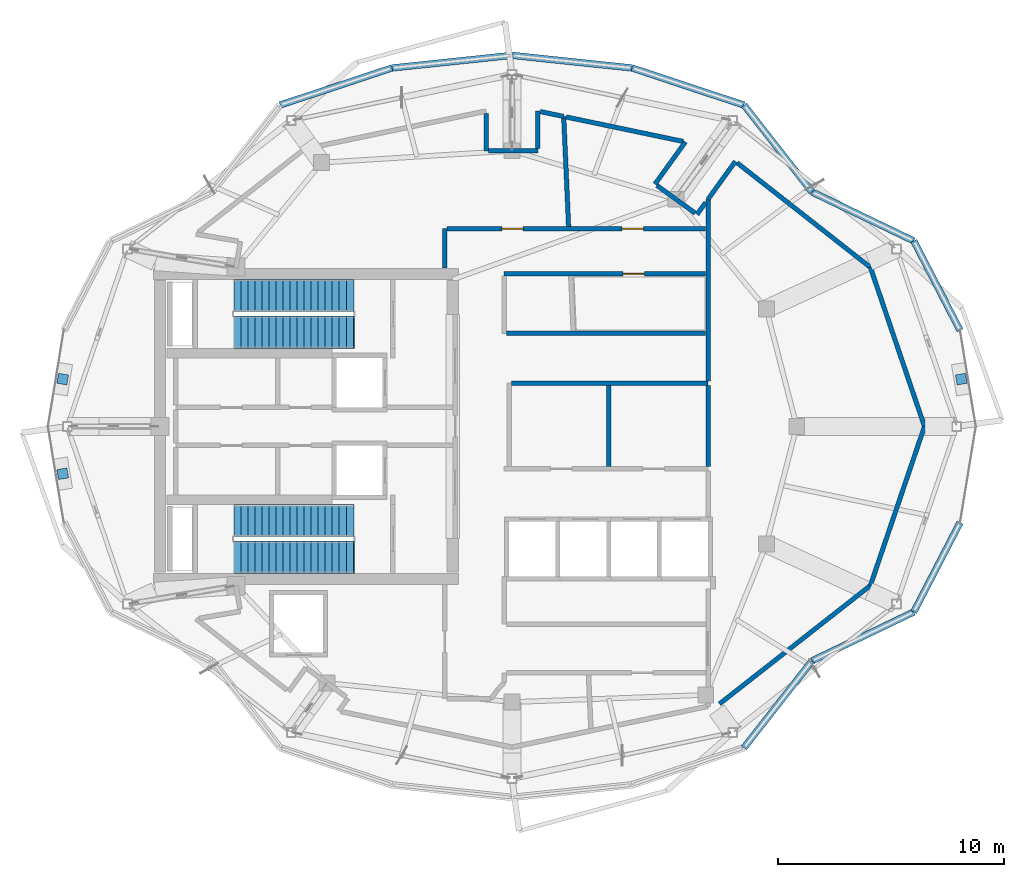
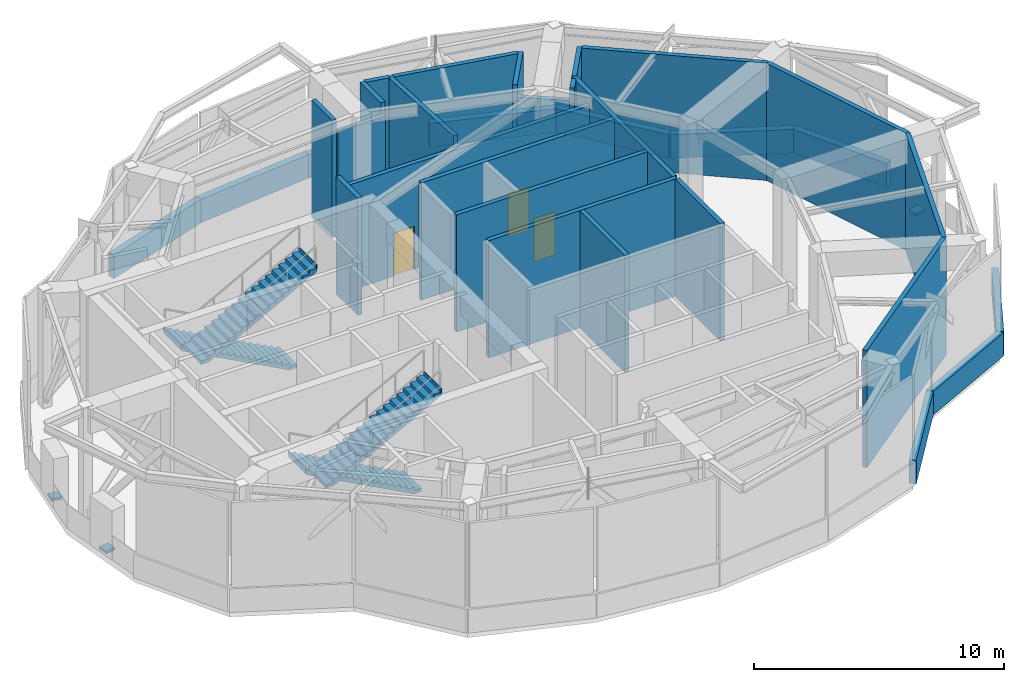
# One storey, part 8 of 9: 32 walls, 4 stair flights, 3 discrete accessories, 3 doors, 3 openings, 2 elements without a shape of their own.
"""IFC4 building model written with IfcOpenShell, lengths in metres."""

from ifc_helpers import new_model, si_unit, direction, frame, frame_2d, origin, origin_2d, place, context, subcontext, project, spatial, polyline, rectangle, outline, extrude, material, layer, layer_set, type_object, element, fill, aggregate, save


model = new_model("IFC4")

# Units and contexts
model_context = context("Model", 3, precision=1e-05, world=origin(), true_north=direction((0.0, 1.0)))
body_context = subcontext(model_context, "Body", "Model", "MODEL_VIEW")
ifc_project = project(units=[si_unit("LENGTHUNIT", "METRE"), si_unit("AREAUNIT", "SQUARE_METRE"), si_unit("VOLUMEUNIT", "CUBIC_METRE"), si_unit("PLANEANGLEUNIT", "RADIAN"), si_unit("MASSUNIT", "GRAM", prefix="KILO")], contexts=[model_context])

# Site, building, storey
site_placement = place(None, origin())
site = spatial("IfcSite", under=ifc_project, at=site_placement, CompositionType="ELEMENT")
building_placement = place(site_placement, origin())
building = spatial("IfcBuilding", under=site, at=building_placement, Name="Kolvaren Gate Tower and Convention Centre", CompositionType="ELEMENT")
storey_placement = place(building_placement, frame((0.0, 0.0, 275.60009765625)))
storey = spatial("IfcBuildingStorey", under=building, at=storey_placement, Name="L75", CompositionType="ELEMENT", Elevation=275.60009765625)

# Walls
ifc_material_1 = material(Name="Autoclaved Aerated Masonry Blockwork Class 4 (4.0 MPa)", Category="masonry")
ifc_layer_1 = layer(ifc_material_1, 0.199951171875)
ifc_layer_set_1 = layer_set([ifc_layer_1], Name="Autoclaved Aerated Masonry Blockwork Class 4 (4.0 MPa)")
wall_type_1 = type_object("IfcWallType", Name="ARCH-WL-SHAFT-200", PredefinedType="SOLIDWALL", material=ifc_layer_set_1)
wall_1_placement = place(storey_placement, frame((30.10205078125, 28.919921875, 0.0), z_axis=(0.0, 0.0, 1.0), x_axis=(1.0, 0.0, 0.0)))
element("IfcWall", 1, at=wall_1_placement, inside=storey, type_object=wall_type_1, Name="Interior Partition WL-L75-INT-011", PredefinedType="SOLIDWALL", context=body_context, shape_type="SweptSolid", body=[
    extrude(rectangle(XDim=8.697998046875, YDim=0.199951171875, at=frame_2d((4.34912109375, 0.0))), origin(), (0.0, 0.0, 1.0), 5.719970703125),
])
for number, where, z_axis, x_axis, name in (
    (2, (34.39990234375, 25.221923828125, 0.0), (0.0, 0.0, 1.0), (0.0, 1.0, 0.0), "Interior Partition WL-L75-INT-012"),
    (3, (38.800048828125, 25.221923828125, 0.0), (0.0, 0.0, 1.0), (0.0, 1.0, 0.0), "Interior Partition WL-L75-INT-014 (2)"),
):
    element("IfcWall", number, at=place(storey_placement, frame(where, z_axis=z_axis, x_axis=x_axis)), inside=storey, type_object=wall_type_1, Name=name, PredefinedType="SOLIDWALL", context=body_context, shape_type="SweptSolid", body=[
        extrude(rectangle(XDim=3.59619140625, YDim=0.199951171875, at=frame_2d((1.798095703125, 0.0))), origin(), (0.0, 0.0, 1.0), 5.719970703125),
    ])
wall_2_placement = place(storey_placement, frame((38.800048828125, 29.02197265625, 0.0), z_axis=(0.0, 0.0, 1.0), x_axis=(0.0, 1.0, 0.0)))
element("IfcWall", 4, at=wall_2_placement, inside=storey, type_object=wall_type_1, Name="Interior Partition WL-L75-INT-014 (3)", PredefinedType="SOLIDWALL", context=body_context, shape_type="SweptSolid", body=[
    extrude(rectangle(XDim=8.032958984375, YDim=0.199951171875, at=frame_2d((4.0166015625, 0.0))), origin(), (0.0, 0.0, 1.0), 5.719970703125),
])
wall_3_placement = place(storey_placement, frame((27.14990234375, 34.001953125, 0.0), z_axis=(0.0, 0.0, 1.0), x_axis=(0.0, 1.0, 0.0)))
element("IfcWall", 5, at=wall_3_placement, inside=storey, type_object=wall_type_1, Name="Interior Partition WL-L75-INT-016", PredefinedType="SOLIDWALL", context=body_context, shape_type="SweptSolid", body=[
    extrude(rectangle(XDim=1.748046875, YDim=0.199951171875, at=frame_2d((0.8740234375, 0.0))), origin(), (0.0, 0.0, 1.0), 5.719970703125),
])

# Wall, openings, doors
wall_4_placement = place(storey_placement, frame((27.251953125, 35.75, 0.0), z_axis=(0.0, 0.0, 1.0), x_axis=(1.0, 0.0, 0.0)))
wall_4 = element("IfcWall", 6, at=wall_4_placement, inside=storey, type_object=wall_type_1, Name="Interior Partition WL-L75-INT-017", PredefinedType="SOLIDWALL", context=body_context, shape_type="SweptSolid", body=[
    extrude(rectangle(XDim=11.446044921875, YDim=0.199951171875, at=frame_2d((5.72314453125, 0.0))), origin(), (0.0, 0.0, 1.0), 5.16796875),
])
opening_1_placement = place(wall_4_placement, frame((2.420654296875, 0.0, 0.0)))
opening_1 = element("IfcOpeningElement", 7, at=opening_1_placement, cuts=wall_4, Name="Opening DR-01", PredefinedType="OPENING", context=body_context, shape_type="SweptSolid", body=[
    extrude(rectangle(XDim=0.949951171875, YDim=2.10009765625, at=frame_2d((0.47509765625, 1.050048828125))), frame((0.0, 0.10986328125, 0.0), z_axis=(0.0, -1.0, 0.0), x_axis=(1.0, 0.0, 0.0)), (0.0, 0.0, 1.0), 0.219970703125),
])
opening_2_placement = place(wall_4_placement, frame((7.7333984375, 0.0, 0.0)))
opening_2 = element("IfcOpeningElement", 8, at=opening_2_placement, cuts=wall_4, Name="Opening DR-01", PredefinedType="OPENING", context=body_context, shape_type="SweptSolid", body=[
    extrude(rectangle(XDim=0.949951171875, YDim=2.10009765625, at=frame_2d((0.47509765625, 1.050048828125))), frame((0.0, 0.10986328125, 0.0), z_axis=(0.0, -1.0, 0.0), x_axis=(1.0, 0.0, 0.0)), (0.0, 0.0, 1.0), 0.219970703125),
])
ifc_material_2 = material(Name="Painted Architectural Steelwork ASTM A500 Grade C 345 MPa", Category="steel")
door_type = type_object("IfcDoorType", Name="ARCH-DR-RISER-950", OperationType="SINGLE_SWING_RIGHT", PredefinedType="DOOR", material=ifc_material_2)
door_1_placement = place(opening_1_placement, origin())
door_1 = element("IfcDoor", 9, at=door_1_placement, inside=storey, type_object=door_type, Name="Smoke-Control Fan and Damper Plant Room Door", OperationType="SINGLE_SWING_LEFT", OverallHeight=2.10009765625, OverallWidth=0.949951171875, PredefinedType="DOOR", context=body_context, shape_type="SweptSolid", body=[
    extrude(rectangle(XDim=0.949951171875, YDim=2.10009765625, at=frame_2d((0.47509765625, 1.050048828125))), frame((0.0, 0.02490234375, 0.0), z_axis=(0.0, -1.0, 0.0), x_axis=(1.0, 0.0, 0.0)), (0.0, 0.0, 1.0), 0.050048828125),
])
fill(opening_1, door_1)
door_2_placement = place(opening_2_placement, origin())
door_2 = element("IfcDoor", 10, at=door_2_placement, inside=storey, type_object=door_type, Name="Wind-Turbine Power-Conditioning Plant Room Door", OperationType="SINGLE_SWING_RIGHT", OverallHeight=2.10009765625, OverallWidth=0.949951171875, PredefinedType="DOOR", context=body_context, shape_type="SweptSolid", body=[
    extrude(rectangle(XDim=0.949951171875, YDim=2.10009765625, at=frame_2d((0.47509765625, 1.050048828125))), frame((0.0, 0.02490234375, 0.0), z_axis=(0.0, -1.0, 0.0), x_axis=(1.0, 0.0, 0.0)), (0.0, 0.0, 1.0), 0.050048828125),
])
fill(opening_2, door_2)

# Wall, opening, door
wall_5_placement = place(storey_placement, frame((29.780029296875, 33.75, 0.0), z_axis=(0.0, 0.0, 1.0), x_axis=(1.0, 0.0, 0.0)))
wall_5 = element("IfcWall", 11, at=wall_5_placement, inside=storey, type_object=wall_type_1, Name="Interior Partition WL-L75-INT-018", PredefinedType="SOLIDWALL", context=body_context, shape_type="SweptSolid", body=[
    extrude(rectangle(XDim=8.91796875, YDim=0.199951171875, at=frame_2d((4.458984375, 0.0))), origin(), (0.0, 0.0, 1.0), 5.719970703125),
])
opening_3_placement = place(wall_5_placement, frame((5.25, 0.0, 0.0)))
opening_3 = element("IfcOpeningElement", 12, at=opening_3_placement, cuts=wall_5, Name="Opening DR-01", PredefinedType="OPENING", context=body_context, shape_type="SweptSolid", body=[
    extrude(rectangle(XDim=0.949951171875, YDim=2.10009765625, at=frame_2d((0.47509765625, 1.050048828125))), frame((0.0, 0.10986328125, 0.0), z_axis=(0.0, -1.0, 0.0), x_axis=(1.0, 0.0, 0.0)), (0.0, 0.0, 1.0), 0.219970703125),
])
door_3_placement = place(opening_3_placement, origin())
door_3 = element("IfcDoor", 13, at=door_3_placement, inside=storey, type_object=door_type, Name="Zone Electrical Substation and Switchgear Room Door", OperationType="SINGLE_SWING_RIGHT", OverallHeight=2.10009765625, OverallWidth=0.949951171875, PredefinedType="DOOR", context=body_context, shape_type="SweptSolid", body=[
    extrude(rectangle(XDim=0.949951171875, YDim=2.10009765625, at=frame_2d((0.47509765625, 1.050048828125))), frame((0.0, 0.02490234375, 0.0), z_axis=(0.0, -1.0, 0.0), x_axis=(1.0, 0.0, 0.0)), (0.0, 0.0, 1.0), 0.050048828125),
])
fill(opening_3, door_3)

# Walls
wall_6_placement = place(storey_placement, frame((29.882080078125, 31.1201171875, 0.0), z_axis=(0.0, 0.0, 1.0), x_axis=(1.0, 0.0, 0.0)))
element("IfcWall", 14, at=wall_6_placement, inside=storey, type_object=wall_type_1, Name="Interior Partition WL-L75-INT-022", PredefinedType="SOLIDWALL", context=body_context, shape_type="SweptSolid", body=[
    extrude(rectangle(XDim=8.81591796875, YDim=0.199951171875, at=frame_2d((4.407958984375, 0.0))), origin(), (0.0, 0.0, 1.0), 5.719970703125),
])
wall_7_placement = place(storey_placement, frame((38.314208984375, 36.3818359375, 0.0), z_axis=(0.0, 0.0, 1.0), x_axis=(0.585069222784, 0.810983356519, 0.0)))
element("IfcWall", 15, at=wall_7_placement, inside=storey, type_object=wall_type_1, Name="Interior Partition WL-L75-INT-030", PredefinedType="SOLIDWALL", context=body_context, shape_type="SweptSolid", body=[
    extrude(rectangle(XDim=0.656005859375, YDim=0.199951171875, at=frame_2d((0.328125, 0.0))), origin(), (0.0, 0.0, 1.0), 5.719970703125),
])
wall_8_placement = place(storey_placement, frame((38.800048828125, 37.054931640625, 0.0), z_axis=(0.0, 0.0, 1.0), x_axis=(0.585158028997, 0.810919281495, 0.0)))
element("IfcWall", 16, at=wall_8_placement, inside=storey, type_object=wall_type_1, Name="Interior Partition WL-L75-INT-030 (2)", PredefinedType="SOLIDWALL", context=body_context, shape_type="SweptSolid", body=[
    extrude(rectangle(XDim=2.064453125, YDim=0.199951171875, at=frame_2d((1.0322265625, 0.0))), origin(), (0.0, 0.0, 1.0), 5.719970703125),
])
wall_9_placement = place(storey_placement, frame((40.08837890625, 38.666015625, 0.0), z_axis=(0.0, 0.0, 1.0), x_axis=(0.78684597277, -0.61714942691, 0.0)))
element("IfcWall", 17, at=wall_9_placement, inside=storey, type_object=wall_type_1, Name="Interior Partition WL-L75-INT-031", PredefinedType="SOLIDWALL", context=body_context, shape_type="SweptSolid", body=[
    extrude(rectangle(XDim=7.494140625, YDim=0.199951171875, at=frame_2d((3.7470703125, 0.0))), origin(), (0.0, 0.0, 1.0), 5.719970703125),
])
for number, where, z_axis, x_axis, name in (
    (18, (45.985107421875, 34.041015625, 0.0), (0.0, 0.0, 1.0), (0.322002778724, -0.946738723458, 0.0), "Interior Partition WL-L75-INT-032"),
    (19, (45.985107421875, 19.958984375, 0.0), (0.0, 0.0, 1.0), (0.322002778724, 0.946738723458, 0.0), "Interior Partition WL-L75-INT-033"),
):
    element("IfcWall", number, at=place(storey_placement, frame(where, z_axis=z_axis, x_axis=x_axis)), inside=storey, type_object=wall_type_1, Name=name, PredefinedType="SOLIDWALL", context=body_context, shape_type="SweptSolid", body=[
        extrude(rectangle(XDim=7.43701171875, YDim=0.199951171875, at=frame_2d((3.718505859375, 0.0))), origin(), (0.0, 0.0, 1.0), 5.719970703125),
    ])
wall_10_placement = place(storey_placement, frame((39.30810546875, 14.721923828125, 0.0), z_axis=(0.0, 0.0, 1.0), x_axis=(0.786842185736, 0.617154255228, 0.0)))
element("IfcWall", 20, at=wall_10_placement, inside=storey, type_object=wall_type_1, Name="Interior Partition WL-L75-INT-034", PredefinedType="SOLIDWALL", context=body_context, shape_type="SweptSolid", body=[
    extrude(rectangle(XDim=8.48583984375, YDim=0.199951171875, at=frame_2d((4.242919921875, 0.0))), origin(), (0.0, 0.0, 1.0), 5.719970703125),
])
wall_11_placement = place(storey_placement, frame((36.4521484375, 37.7255859375, 0.0), z_axis=(0.0, 0.0, 1.0), x_axis=(0.585304643713, 0.810813464397, 0.0)))
element("IfcWall", 21, at=wall_11_placement, inside=storey, type_object=wall_type_1, Name="Interior Partition WL-L75-INT-038", PredefinedType="SOLIDWALL", context=body_context, shape_type="SweptSolid", body=[
    extrude(rectangle(XDim=2.3017578125, YDim=0.199951171875, at=frame_2d((1.15087890625, 0.0))), origin(), (0.0, 0.0, 1.0), 5.719970703125),
])
wall_12_placement = place(storey_placement, frame((32.413330078125, 40.718017578125, 0.0), z_axis=(0.0, 0.0, 1.0), x_axis=(0.044359482004, -0.99901563369, 0.0)))
element("IfcWall", 22, at=wall_12_placement, inside=storey, type_object=wall_type_1, Name="Interior Partition WL-L75-INT-042", PredefinedType="SOLIDWALL", context=body_context, shape_type="SweptSolid", body=[
    extrude(rectangle(XDim=4.870849609375, YDim=0.199951171875, at=frame_2d((2.435546875, 0.0))), origin(), (0.0, 0.0, 1.0), 5.719970703125),
])
wall_13_placement = place(storey_placement, frame((28.97509765625, 39.199951171875, 0.0), z_axis=(0.0, 0.0, 1.0), x_axis=(0.0, 1.0, 0.0)))
element("IfcWall", 23, at=wall_13_placement, inside=storey, type_object=wall_type_1, Name="Interior Partition WL-L75-INT-050", PredefinedType="SOLIDWALL", context=body_context, shape_type="SweptSolid", body=[
    extrude(rectangle(XDim=1.65185546875, YDim=0.199951171875, at=frame_2d((0.825927734375, 0.0))), origin(), (0.0, 0.0, 1.0), 5.719970703125),
])
wall_14_placement = place(storey_placement, frame((29.076904296875, 39.199951171875, 0.0), z_axis=(0.0, 0.0, 1.0), x_axis=(1.0, 0.0, 0.0)))
element("IfcWall", 24, at=wall_14_placement, inside=storey, type_object=wall_type_1, Name="Interior Partition WL-L75-INT-051", PredefinedType="SOLIDWALL", context=body_context, shape_type="SweptSolid", body=[
    extrude(rectangle(XDim=2.197998046875, YDim=0.199951171875, at=frame_2d((1.09912109375, 0.0))), origin(), (0.0, 0.0, 1.0), 5.16796875),
])
wall_15_placement = place(storey_placement, frame((31.27490234375, 39.302001953125, 0.0), z_axis=(0.0, 0.0, 1.0), x_axis=(0.0, 1.0, 0.0)))
element("IfcWall", 25, at=wall_15_placement, inside=storey, type_object=wall_type_1, Name="Interior Partition WL-L75-INT-052", PredefinedType="SOLIDWALL", context=body_context, shape_type="SweptSolid", body=[
    extrude(rectangle(XDim=1.654052734375, YDim=0.199951171875, at=frame_2d((0.8271484375, 0.0))), origin(), (0.0, 0.0, 1.0), 5.719970703125),
])
wall_16_placement = place(storey_placement, frame((31.376953125, 40.934814453125, 0.0), z_axis=(0.0, 0.0, 1.0), x_axis=(0.97880352916, -0.204801492435, 0.0)))
element("IfcWall", 26, at=wall_16_placement, inside=storey, type_object=wall_type_1, Name="Interior Partition WL-L75-INT-053", PredefinedType="SOLIDWALL", context=body_context, shape_type="SweptSolid", body=[
    extrude(rectangle(XDim=1.05859375, YDim=0.199951171875, at=frame_2d((0.529296875, 0.0))), origin(), (0.0, 0.0, 1.0), 5.719970703125),
])
wall_17_placement = place(storey_placement, frame((32.516357421875, 40.6962890625, 0.0), z_axis=(0.0, 0.0, 1.0), x_axis=(0.978828735441, -0.204680987576, 0.0)))
element("IfcWall", 27, at=wall_17_placement, inside=storey, type_object=wall_type_1, Name="Interior Partition WL-L75-INT-053 (2)", PredefinedType="SOLIDWALL", context=body_context, shape_type="SweptSolid", body=[
    extrude(rectangle(XDim=5.28515625, YDim=0.199951171875, at=frame_2d((2.642578125, 0.0))), origin(), (0.0, 0.0, 1.0), 5.719970703125),
])
wall_18_placement = place(storey_placement, frame((36.534912109375, 37.666015625, 0.0), z_axis=(0.0, 0.0, 1.0), x_axis=(0.810829966336, -0.585281783154, 0.0)))
element("IfcWall", 28, at=wall_18_placement, inside=storey, type_object=wall_type_1, Name="Interior Partition WL-L75-INT-054", PredefinedType="SOLIDWALL", context=body_context, shape_type="SweptSolid", body=[
    extrude(rectangle(XDim=2.09228515625, YDim=0.199951171875, at=frame_2d((1.046142578125, 0.0))), origin(), (0.0, 0.0, 1.0), 5.16796875),
])
ifc_material_3 = material(Name="Piedmont Cream Honed Limestone Cladding", Category="masonry")
ifc_layer_2 = layer(ifc_material_3, 0.300048828125)
ifc_layer_set_2 = layer_set([ifc_layer_2], Name="Piedmont Cream Honed Limestone Cladding")
wall_type_2 = type_object("IfcWallType", Name="ARCH-WL-STONE-300", PredefinedType="SOLIDWALL", material=ifc_layer_set_2)
wall_19_placement = place(storey_placement, frame((47.905517578125, 35.21240234375, 0.0), z_axis=(0.0, 0.0, 1.0), x_axis=(0.459801070243, -0.888021945564, 0.0)))
element("IfcWall", 29, at=wall_19_placement, inside=storey, type_object=wall_type_2, Name="Plant Floor L75 Stone Sill Wall EW-01", PredefinedType="SOLIDWALL", context=body_context, shape_type="SweptSolid", body=[
    extrude(rectangle(XDim=4.460693359375, YDim=0.300048828125, at=frame_2d((2.23046875, 0.0))), origin(), (0.0, 0.0, 1.0), 1.14990234375),
])
wall_20_placement = place(storey_placement, frame((43.40380859375, 37.37548828125, 0.0), z_axis=(0.0, 0.0, 1.0), x_axis=(0.901346013132, -0.433099716706, 0.0)))
element("IfcWall", 30, at=wall_20_placement, inside=storey, type_object=wall_type_2, Name="Plant Floor L75 Stone Sill Wall EW-02", PredefinedType="SOLIDWALL", context=body_context, shape_type="SweptSolid", body=[
    extrude(rectangle(XDim=4.994384765625, YDim=0.300048828125, at=frame_2d((2.4970703125, 0.0))), origin(), (0.0, 0.0, 1.0), 1.14990234375),
])
wall_21_placement = place(storey_placement, frame((40.390625, 41.224609375, 0.0), z_axis=(0.0, 0.0, 1.0), x_axis=(0.616413297421, -0.78742278781, 0.0)))
element("IfcWall", 31, at=wall_21_placement, inside=storey, type_object=wall_type_2, Name="Plant Floor L75 Stone Sill Wall EW-03", PredefinedType="SOLIDWALL", context=body_context, shape_type="SweptSolid", body=[
    extrude(rectangle(XDim=4.88818359375, YDim=0.300048828125, at=frame_2d((2.444091796875, 0.0))), origin(), (0.0, 0.0, 1.0), 1.14990234375),
])
wall_22_placement = place(storey_placement, frame((35.43896484375, 42.865234375, 0.0), z_axis=(0.0, 0.0, 1.0), x_axis=(0.949252744709, -0.314514271001, 0.0)))
element("IfcWall", 32, at=wall_22_placement, inside=storey, type_object=wall_type_2, Name="Plant Floor L75 Stone Sill Wall EW-04", PredefinedType="SOLIDWALL", context=body_context, shape_type="SweptSolid", body=[
    extrude(rectangle(XDim=5.21630859375, YDim=0.300048828125, at=frame_2d((2.608154296875, 0.0))), origin(), (0.0, 0.0, 1.0), 1.14990234375),
])
for number, where, z_axis, x_axis, name in (
    (33, (30.125, 43.425048828125, 0.0), (0.0, 0.0, 1.0), (0.9944966869, -0.104768028258, 0.0), "Plant Floor L75 Stone Sill Wall EW-05"),
    (34, (24.81103515625, 42.865234375, 0.0), (0.0, 0.0, 1.0), (0.9944966869, 0.104768028258, 0.0), "Plant Floor L75 Stone Sill Wall EW-06"),
):
    element("IfcWall", number, at=place(storey_placement, frame(where, z_axis=z_axis, x_axis=x_axis)), inside=storey, type_object=wall_type_2, Name=name, PredefinedType="SOLIDWALL", context=body_context, shape_type="SweptSolid", body=[
        extrude(rectangle(XDim=5.34326171875, YDim=0.300048828125, at=frame_2d((2.671630859375, 0.0))), origin(), (0.0, 0.0, 1.0), 1.14990234375),
    ])
wall_23_placement = place(storey_placement, frame((19.859375, 41.224609375, 0.0), z_axis=(0.0, 0.0, 1.0), x_axis=(0.949252744709, 0.314514271001, 0.0)))
element("IfcWall", 35, at=wall_23_placement, inside=storey, type_object=wall_type_2, Name="Plant Floor L75 Stone Sill Wall EW-07", PredefinedType="SOLIDWALL", context=body_context, shape_type="SweptSolid", body=[
    extrude(rectangle(XDim=5.21630859375, YDim=0.300048828125, at=frame_2d((2.608154296875, 0.0))), origin(), (0.0, 0.0, 1.0), 1.14990234375),
])
wall_24_placement = place(storey_placement, frame((40.390625, 12.775390625, 0.0), z_axis=(0.0, 0.0, 1.0), x_axis=(0.616413297421, 0.78742278781, 0.0)))
element("IfcWall", 36, at=wall_24_placement, inside=storey, type_object=wall_type_2, Name="Plant Floor L75 Stone Sill Wall EW-20", PredefinedType="SOLIDWALL", context=body_context, shape_type="SweptSolid", body=[
    extrude(rectangle(XDim=4.88818359375, YDim=0.300048828125, at=frame_2d((2.444091796875, 0.0))), origin(), (0.0, 0.0, 1.0), 1.14990234375),
])
wall_25_placement = place(storey_placement, frame((43.40380859375, 16.62451171875, 0.0), z_axis=(0.0, 0.0, 1.0), x_axis=(0.901346013132, 0.433099716706, 0.0)))
element("IfcWall", 37, at=wall_25_placement, inside=storey, type_object=wall_type_2, Name="Plant Floor L75 Stone Sill Wall EW-21", PredefinedType="SOLIDWALL", context=body_context, shape_type="SweptSolid", body=[
    extrude(rectangle(XDim=4.994384765625, YDim=0.300048828125, at=frame_2d((2.4970703125, 0.0))), origin(), (0.0, 0.0, 1.0), 1.14990234375),
])
wall_26_placement = place(storey_placement, frame((47.905517578125, 18.78759765625, 0.0), z_axis=(0.0, 0.0, 1.0), x_axis=(0.459801070243, 0.888021945564, 0.0)))
element("IfcWall", 38, at=wall_26_placement, inside=storey, type_object=wall_type_2, Name="Plant Floor L75 Stone Sill Wall EW-22", PredefinedType="SOLIDWALL", context=body_context, shape_type="SweptSolid", body=[
    extrude(rectangle(XDim=4.460693359375, YDim=0.300048828125, at=frame_2d((2.23046875, 0.0))), origin(), (0.0, 0.0, 1.0), 1.14990234375),
])

# Stair, stair flights
ifc_material_4 = material(Name="Concrete C50/60", Category="concrete")
stair_type = type_object("IfcStairType", Name="STR-STAIR-CORE", PredefinedType="HALF_TURN_STAIR", material=ifc_material_4)
stair_1_placement = place(storey_placement, origin())
stair_1 = element("IfcStair", 39, at=stair_1_placement, inside=storey, type_object=stair_type, Name="L75 Tower North Exit Stair ST-T1", PredefinedType="HALF_TURN_STAIR")
stair_flight_type = type_object("IfcStairFlightType", Name="STR-SFL-1420", PredefinedType="STRAIGHT", material=ifc_material_4)
stair_flight_1_placement = place(storey_placement, frame((23.10009765625, 32.7900390625, 0.0), z_axis=(0.0, 0.0, 1.0), x_axis=(-1.0, 0.0, 0.0)))
stair_flight_1 = element("IfcStairFlight", 40, at=stair_flight_1_placement, type_object=stair_flight_type, Name="ST-T1 flight 1", NumberOfRisers=18, NumberOfTreads=17, PredefinedType="STRAIGHT", RiserHeight=0.166666667, TreadLength=0.31, context=body_context, shape_type="SweptSolid", body=[
    extrude(outline(polyline([(-0.034912109375, 0.0), (-0.034912109375, 0.166748046875), (0.31005859375, 0.166748046875), (0.31005859375, 0.333251953125), (0.6201171875, 0.333251953125), (0.6201171875, 0.5), (0.929931640625, 0.5), (0.929931640625, 0.666748046875), (1.239990234375, 0.666748046875), (1.239990234375, 0.833251953125), (1.550048828125, 0.833251953125), (1.550048828125, 1.0), (1.860107421875, 1.0), (1.860107421875, 1.166748046875), (2.169921875, 1.166748046875), (2.169921875, 1.333251953125), (2.47998046875, 1.333251953125), (2.47998046875, 1.5), (2.7900390625, 1.5), (2.7900390625, 1.666748046875), (3.10009765625, 1.666748046875), (3.10009765625, 1.833251953125), (3.409912109375, 1.833251953125), (3.409912109375, 2.0), (3.719970703125, 2.0), (3.719970703125, 2.166748046875), (4.030029296875, 2.166748046875), (4.030029296875, 2.333251953125), (4.340087890625, 2.333251953125), (4.340087890625, 2.5), (4.64990234375, 2.5), (4.64990234375, 2.666748046875), (4.9599609375, 2.666748046875), (4.9599609375, 2.833251953125), (5.27001953125, 2.833251953125), (5.27001953125, 3.0), (5.31494140625, 3.0), (5.31494140625, 2.840087890625), (5.27001953125, 2.6630859375), (0.316650390625, 0.0), (-0.034912109375, 0.0)])), frame((0.0, 0.7099609375, 0.0), z_axis=(0.0, -1.0, 0.0), x_axis=(1.0, 0.0, 0.0)), (0.0, 0.0, 1.0), 1.419921875),
])
stair_flight_2_placement = place(storey_placement, frame((17.830078125, 31.169921875, 3.0), z_axis=(0.0, 0.0, 1.0), x_axis=(1.0, 0.0, 0.0)))
stair_flight_2 = element("IfcStairFlight", 41, at=stair_flight_2_placement, type_object=stair_flight_type, Name="ST-T1 flight 2", NumberOfRisers=18, NumberOfTreads=17, PredefinedType="STRAIGHT", RiserHeight=0.166666667, TreadLength=0.31, context=body_context, shape_type="SweptSolid", body=[
    extrude(outline(polyline([(-0.034912109375, 0.0), (-0.034912109375, 0.166748046875), (0.31005859375, 0.166748046875), (0.31005859375, 0.333251953125), (0.6201171875, 0.333251953125), (0.6201171875, 0.5), (0.929931640625, 0.5), (0.929931640625, 0.666748046875), (1.239990234375, 0.666748046875), (1.239990234375, 0.833251953125), (1.550048828125, 0.833251953125), (1.550048828125, 1.0), (1.860107421875, 1.0), (1.860107421875, 1.166748046875), (2.169921875, 1.166748046875), (2.169921875, 1.333251953125), (2.47998046875, 1.333251953125), (2.47998046875, 1.5), (2.7900390625, 1.5), (2.7900390625, 1.666748046875), (3.10009765625, 1.666748046875), (3.10009765625, 1.833251953125), (3.409912109375, 1.833251953125), (3.409912109375, 2.0), (3.719970703125, 2.0), (3.719970703125, 2.166748046875), (4.030029296875, 2.166748046875), (4.030029296875, 2.333251953125), (4.340087890625, 2.333251953125), (4.340087890625, 2.5), (4.64990234375, 2.5), (4.64990234375, 2.666748046875), (4.9599609375, 2.666748046875), (4.9599609375, 2.833251953125), (5.27001953125, 2.833251953125), (5.27001953125, 3.0), (5.31494140625, 3.0), (5.31494140625, 2.840087890625), (5.27001953125, 2.6630859375), (0.316650390625, 0.0), (-0.034912109375, 0.0)])), frame((0.0, 0.7099609375, 0.0), z_axis=(0.0, -1.0, 0.0), x_axis=(1.0, 0.0, 0.0)), (0.0, 0.0, 1.0), 1.419921875),
])
aggregate(stair_1, [stair_flight_1, stair_flight_2])

stair_2_placement = place(storey_placement, origin())
stair_2 = element("IfcStair", 42, at=stair_2_placement, inside=storey, type_object=stair_type, Name="L75 Tower South Exit Stair ST-T2", PredefinedType="HALF_TURN_STAIR")
stair_flight_3_placement = place(storey_placement, frame((23.10009765625, 22.830078125, 0.0), z_axis=(0.0, 0.0, 1.0), x_axis=(-1.0, 0.0, 0.0)))
stair_flight_3 = element("IfcStairFlight", 43, at=stair_flight_3_placement, type_object=stair_flight_type, Name="ST-T2 flight 1", NumberOfRisers=18, NumberOfTreads=17, PredefinedType="STRAIGHT", RiserHeight=0.166666667, TreadLength=0.31, context=body_context, shape_type="SweptSolid", body=[
    extrude(outline(polyline([(-0.034912109375, 0.0), (-0.034912109375, 0.166748046875), (0.31005859375, 0.166748046875), (0.31005859375, 0.333251953125), (0.6201171875, 0.333251953125), (0.6201171875, 0.5), (0.929931640625, 0.5), (0.929931640625, 0.666748046875), (1.239990234375, 0.666748046875), (1.239990234375, 0.833251953125), (1.550048828125, 0.833251953125), (1.550048828125, 1.0), (1.860107421875, 1.0), (1.860107421875, 1.166748046875), (2.169921875, 1.166748046875), (2.169921875, 1.333251953125), (2.47998046875, 1.333251953125), (2.47998046875, 1.5), (2.7900390625, 1.5), (2.7900390625, 1.666748046875), (3.10009765625, 1.666748046875), (3.10009765625, 1.833251953125), (3.409912109375, 1.833251953125), (3.409912109375, 2.0), (3.719970703125, 2.0), (3.719970703125, 2.166748046875), (4.030029296875, 2.166748046875), (4.030029296875, 2.333251953125), (4.340087890625, 2.333251953125), (4.340087890625, 2.5), (4.64990234375, 2.5), (4.64990234375, 2.666748046875), (4.9599609375, 2.666748046875), (4.9599609375, 2.833251953125), (5.27001953125, 2.833251953125), (5.27001953125, 3.0), (5.31494140625, 3.0), (5.31494140625, 2.840087890625), (5.27001953125, 2.6630859375), (0.316650390625, 0.0), (-0.034912109375, 0.0)])), frame((0.0, 0.7099609375, 0.0), z_axis=(0.0, -1.0, 0.0), x_axis=(1.0, 0.0, 0.0)), (0.0, 0.0, 1.0), 1.419921875),
])
stair_flight_4_placement = place(storey_placement, frame((17.830078125, 21.2099609375, 3.0), z_axis=(0.0, 0.0, 1.0), x_axis=(1.0, 0.0, 0.0)))
stair_flight_4 = element("IfcStairFlight", 44, at=stair_flight_4_placement, type_object=stair_flight_type, Name="ST-T2 flight 2", NumberOfRisers=18, NumberOfTreads=17, PredefinedType="STRAIGHT", RiserHeight=0.166666667, TreadLength=0.31, context=body_context, shape_type="SweptSolid", body=[
    extrude(outline(polyline([(-0.034912109375, 0.0), (-0.034912109375, 0.166748046875), (0.31005859375, 0.166748046875), (0.31005859375, 0.333251953125), (0.6201171875, 0.333251953125), (0.6201171875, 0.5), (0.929931640625, 0.5), (0.929931640625, 0.666748046875), (1.239990234375, 0.666748046875), (1.239990234375, 0.833251953125), (1.550048828125, 0.833251953125), (1.550048828125, 1.0), (1.860107421875, 1.0), (1.860107421875, 1.166748046875), (2.169921875, 1.166748046875), (2.169921875, 1.333251953125), (2.47998046875, 1.333251953125), (2.47998046875, 1.5), (2.7900390625, 1.5), (2.7900390625, 1.666748046875), (3.10009765625, 1.666748046875), (3.10009765625, 1.833251953125), (3.409912109375, 1.833251953125), (3.409912109375, 2.0), (3.719970703125, 2.0), (3.719970703125, 2.166748046875), (4.030029296875, 2.166748046875), (4.030029296875, 2.333251953125), (4.340087890625, 2.333251953125), (4.340087890625, 2.5), (4.64990234375, 2.5), (4.64990234375, 2.666748046875), (4.9599609375, 2.666748046875), (4.9599609375, 2.833251953125), (5.27001953125, 2.833251953125), (5.27001953125, 3.0), (5.31494140625, 3.0), (5.31494140625, 2.840087890625), (5.27001953125, 2.6630859375), (0.316650390625, 0.0), (-0.034912109375, 0.0)])), frame((0.0, 0.7099609375, 0.0), z_axis=(0.0, -1.0, 0.0), x_axis=(1.0, 0.0, 0.0)), (0.0, 0.0, 1.0), 1.419921875),
])
aggregate(stair_2, [stair_flight_3, stair_flight_4])

# Discrete accessories
ifc_material_5 = material(Name="Anodized Architectural Aluminium Alloy 6063-T6", Category="aluminium")
discrete_accessory_type = type_object("IfcDiscreteAccessoryType", Name="ARCH-ACC-BRACKET-120", PredefinedType="BRACKET", material=ifc_material_5)
for number, where, z_axis, x_axis, name in (
    (45, (50.008056640625, 29.09423828125, -0.01025390625), (0.0, 0.0, 1.0), (0.162385734509, -0.986727355062, 0.0), "Wind-Turbine Acoustic Plinth Mount Bracket TBK-01"),
    (46, (10.241943359375, 29.09423828125, -0.01025390625), (0.0, 0.0, 1.0), (0.162385734509, 0.986727355062, 0.0), "Wind-Turbine Acoustic Plinth Mount Bracket TBK-02"),
    (47, (10.241943359375, 24.90576171875, -0.01025390625), (0.0, 0.0, 1.0), (0.162385734509, -0.986727355062, 0.0), "Wind-Turbine Acoustic Plinth Mount Bracket TBK-03"),
):
    element("IfcDiscreteAccessory", number, at=place(storey_placement, frame(where, z_axis=z_axis, x_axis=x_axis)), inside=storey, type_object=discrete_accessory_type, Name=name, PredefinedType="BRACKET", context=body_context, shape_type="SweptSolid", body=[
        extrude(rectangle(XDim=0.449951171875, YDim=0.449951171875, at=origin_2d()), origin(), (0.0, 0.0, 1.0), 0.1201171875),
    ])

save(model, "model.ifc")
